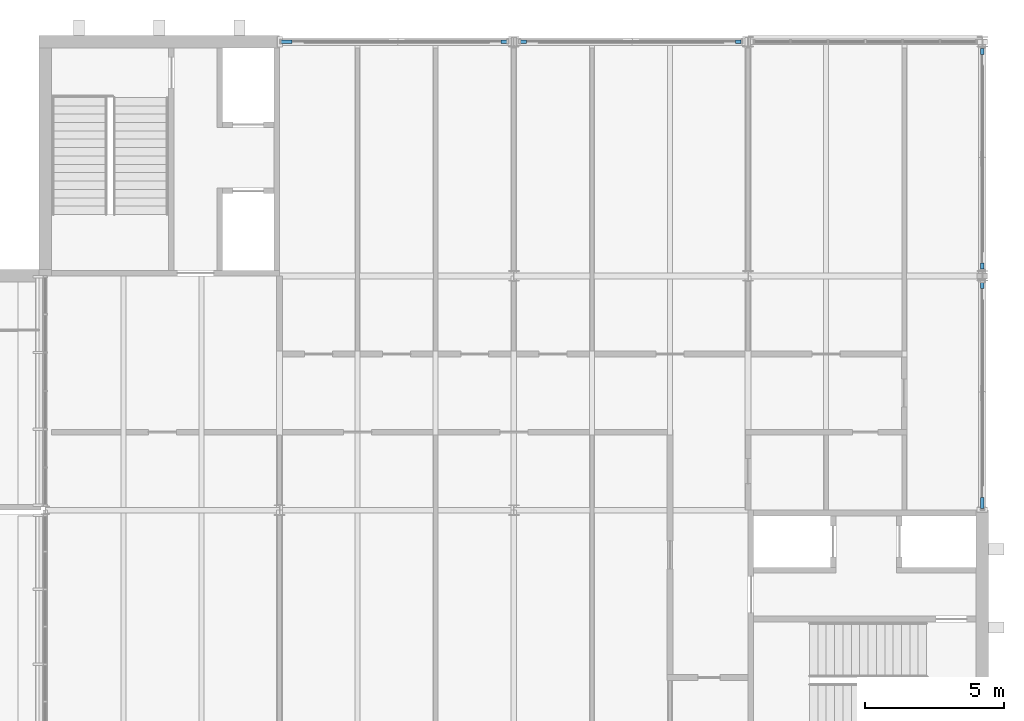
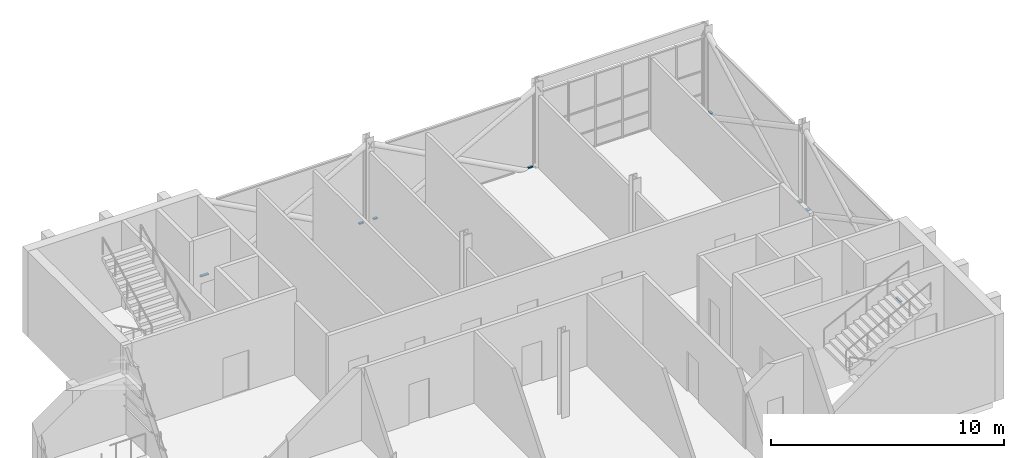
# One storey, part 15 of 29: 8 members, 4 elements without a shape of their own.
"""IFC4 building model written with IfcOpenShell, lengths in metres."""

from ifc_helpers import new_model, si_unit, direction, frame, origin, origin_2d, place, context, subcontext, project, spatial, rectangle, extrude, material, layer, layer_set, material_profile, profile_set, type_object, element, aggregate, save


model = new_model("IFC4")

# Units and contexts
model_context = context("Model", 3, precision=1e-05, world=origin(), true_north=direction((0.0, 1.0)))
body_context = subcontext(model_context, "Body", "Model", "MODEL_VIEW")
ifc_project = project(units=[si_unit("LENGTHUNIT", "METRE"), si_unit("AREAUNIT", "SQUARE_METRE"), si_unit("VOLUMEUNIT", "CUBIC_METRE"), si_unit("PLANEANGLEUNIT", "RADIAN"), si_unit("MASSUNIT", "GRAM", prefix="KILO")], contexts=[model_context])

# Site, building, storey
site_placement = place(None, origin())
site = spatial("IfcSite", under=ifc_project, at=site_placement, CompositionType="ELEMENT")
building_placement = place(site_placement, origin())
building = spatial("IfcBuilding", under=site, at=building_placement, Name="Ardhachandra Cancer Care Centre", CompositionType="ELEMENT")
storey_placement = place(building_placement, frame((0.0, 0.0, 13.5)))
storey = spatial("IfcBuildingStorey", under=building, at=storey_placement, Name="L03", CompositionType="ELEMENT", Elevation=13.5)

# Curtain wall, members
ifc_material_1 = material(Name="Aluminium extrusion", Category="aluminium")
ifc_layer = layer(ifc_material_1, 0.14990234375)
ifc_layer_set = layer_set([ifc_layer], Name="Aluminium extrusion")
curtain_wall_type = type_object("IfcCurtainWallType", Name="Curtain wall run", PredefinedType="NOTDEFINED", material=ifc_layer_set)
curtain_wall_1_placement = place(storey_placement, origin())
curtain_wall_1 = element("IfcCurtainWall", 1, at=curtain_wall_1_placement, inside=storey, type_object=curtain_wall_type, Name="Curtain wall L03 e/0145200_0088200", PredefinedType="NOTDEFINED")
ifc_material_2 = material(Name="Aluminium extrusion", Category="aluminium")
ifc_material_profile = material_profile(ifc_material_2, rectangle(XDim=0.1201171875, YDim=0.06005859375, at=origin_2d()), Name="Curtain wall transom 60 x 120")
ifc_profile_set = profile_set([ifc_material_profile], Name="Aluminium extrusion")
member_type = type_object("IfcMemberType", Name="Curtain wall transom 60 x 120", PredefinedType="USERDEFINED", material=ifc_profile_set)
member_1_placement = place(storey_placement, frame((145.199951171875, 88.260009765625, 0.030029296875), z_axis=(0.0, 1.0, 0.0), x_axis=(-1.0, 0.0, 0.0)))
member_1 = element("IfcMember", 2, at=member_1_placement, type_object=member_type, Name="CW transom 1.1", ObjectType="TRANSOM", PredefinedType="USERDEFINED", context=body_context, shape_type="SweptSolid", body=[
    extrude(rectangle(XDim=0.1201171875, YDim=0.06005859375, at=origin_2d()), origin(), (0.0, 0.0, 1.0), 0.3955078125),
])
member_2_placement = place(storey_placement, frame((145.199951171875, 96.14453125, 0.030029296875), z_axis=(0.0, 1.0, 0.0), x_axis=(-1.0, 0.0, 0.0)))
member_2 = element("IfcMember", 3, at=member_2_placement, type_object=member_type, Name="CW transom 1.1", ObjectType="TRANSOM", PredefinedType="USERDEFINED", context=body_context, shape_type="SweptSolid", body=[
    extrude(rectangle(XDim=0.1201171875, YDim=0.06005859375, at=origin_2d()), origin(), (0.0, 0.0, 1.0), 0.21337890625),
])
aggregate(curtain_wall_1, [member_1, member_2])

curtain_wall_2_placement = place(storey_placement, origin())
curtain_wall_2 = element("IfcCurtainWall", 4, at=curtain_wall_2_placement, inside=storey, type_object=curtain_wall_type, Name="Curtain wall L03 e/0145200_0096600", PredefinedType="NOTDEFINED")
member_3_placement = place(storey_placement, frame((145.199951171875, 96.842041015625, 0.030029296875), z_axis=(0.0, 1.0, 0.0), x_axis=(-1.0, 0.0, 0.0)))
member_3 = element("IfcMember", 5, at=member_3_placement, type_object=member_type, Name="CW transom 1.1", ObjectType="TRANSOM", PredefinedType="USERDEFINED", context=body_context, shape_type="SweptSolid", body=[
    extrude(rectangle(XDim=0.1201171875, YDim=0.06005859375, at=origin_2d()), origin(), (0.0, 0.0, 1.0), 0.21337890625),
])
member_4_placement = place(storey_placement, frame((145.199951171875, 104.54443359375, 0.030029296875), z_axis=(0.0, 1.0, 0.0), x_axis=(-1.0, 0.0, 0.0)))
member_4 = element("IfcMember", 6, at=member_4_placement, type_object=member_type, Name="CW transom 1.1", ObjectType="TRANSOM", PredefinedType="USERDEFINED", context=body_context, shape_type="SweptSolid", body=[
    extrude(rectangle(XDim=0.1201171875, YDim=0.06005859375, at=origin_2d()), origin(), (0.0, 0.0, 1.0), 0.213623046875),
])
aggregate(curtain_wall_2, [member_3, member_4])

curtain_wall_3_placement = place(storey_placement, origin())
curtain_wall_3 = element("IfcCurtainWall", 7, at=curtain_wall_3_placement, inside=storey, type_object=curtain_wall_type, Name="Curtain wall L03 n/0120000_0105000", PredefinedType="NOTDEFINED")
member_5_placement = place(storey_placement, frame((120.06005859375, 105.0, 0.030029296875), z_axis=(1.0, 0.0, 0.0), x_axis=(0.0, 1.0, 0.0)))
member_5 = element("IfcMember", 8, at=member_5_placement, type_object=member_type, Name="CW transom 1.1", ObjectType="TRANSOM", PredefinedType="USERDEFINED", context=body_context, shape_type="SweptSolid", body=[
    extrude(rectangle(XDim=0.1201171875, YDim=0.06005859375, at=origin_2d()), origin(), (0.0, 0.0, 1.0), 0.3955078125),
])
member_6_placement = place(storey_placement, frame((127.944580078125, 105.0, 0.030029296875), z_axis=(1.0, 0.0, 0.0), x_axis=(0.0, 1.0, 0.0)))
member_6 = element("IfcMember", 9, at=member_6_placement, type_object=member_type, Name="CW transom 1.1", ObjectType="TRANSOM", PredefinedType="USERDEFINED", context=body_context, shape_type="SweptSolid", body=[
    extrude(rectangle(XDim=0.1201171875, YDim=0.06005859375, at=origin_2d()), origin(), (0.0, 0.0, 1.0), 0.2099609375),
])
aggregate(curtain_wall_3, [member_5, member_6])

curtain_wall_4_placement = place(storey_placement, origin())
curtain_wall_4 = element("IfcCurtainWall", 10, at=curtain_wall_4_placement, inside=storey, type_object=curtain_wall_type, Name="Curtain wall L03 n/0128400_0105000", PredefinedType="NOTDEFINED")
member_7_placement = place(storey_placement, frame((128.6455078125, 105.0, 0.030029296875), z_axis=(1.0, 0.0, 0.0), x_axis=(0.0, 1.0, 0.0)))
member_7 = element("IfcMember", 11, at=member_7_placement, type_object=member_type, Name="CW transom 1.1", ObjectType="TRANSOM", PredefinedType="USERDEFINED", context=body_context, shape_type="SweptSolid", body=[
    extrude(rectangle(XDim=0.1201171875, YDim=0.06005859375, at=origin_2d()), origin(), (0.0, 0.0, 1.0), 0.2099609375),
])
member_8_placement = place(storey_placement, frame((136.344482421875, 105.0, 0.030029296875), z_axis=(1.0, 0.0, 0.0), x_axis=(0.0, 1.0, 0.0)))
member_8 = element("IfcMember", 12, at=member_8_placement, type_object=member_type, Name="CW transom 1.1", ObjectType="TRANSOM", PredefinedType="USERDEFINED", context=body_context, shape_type="SweptSolid", body=[
    extrude(rectangle(XDim=0.1201171875, YDim=0.06005859375, at=origin_2d()), origin(), (0.0, 0.0, 1.0), 0.2099609375),
])
aggregate(curtain_wall_4, [member_7, member_8])

save(model, "model.ifc")
